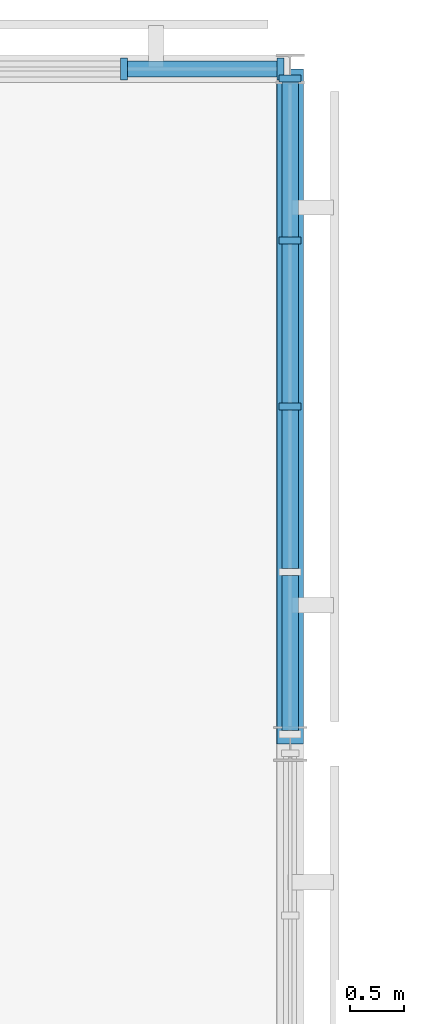
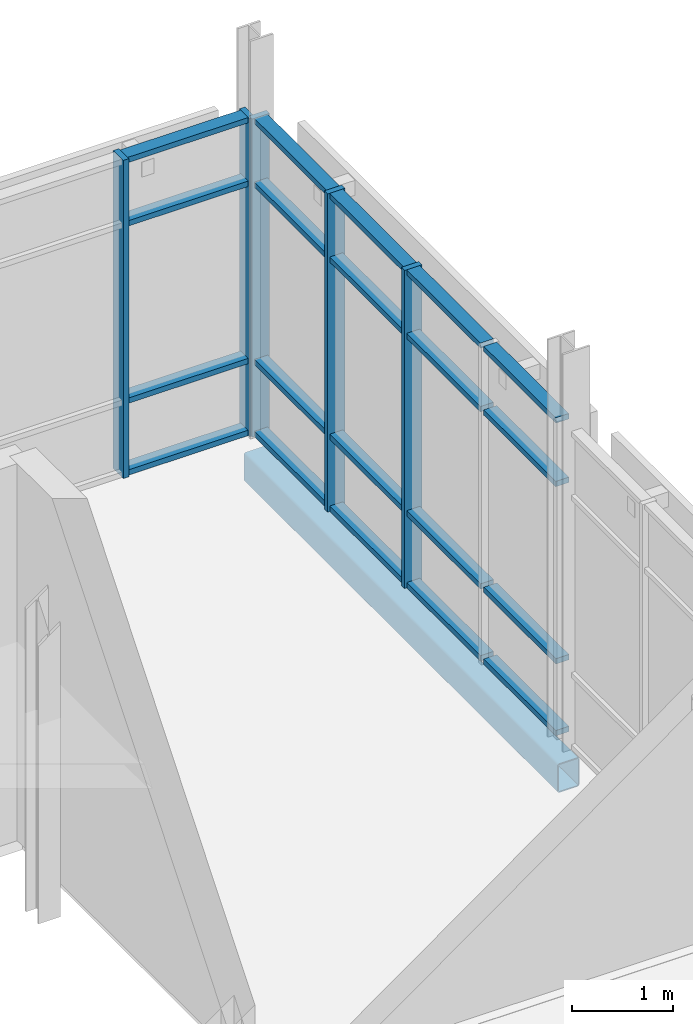
# One storey, part 48 of 84: 25 members, 1 beam, 2 elements without a shape of their own.
"""IFC4 building model written with IfcOpenShell, lengths in metres."""

from ifc_helpers import new_model, si_unit, direction, frame, origin, origin_2d, place, context, subcontext, project, spatial, rectangle, hollow_rectangle, extrude, material, layer, layer_set, material_profile, profile_set, type_object, element, aggregate, save


model = new_model("IFC4")

# Units and contexts
model_context = context("Model", 3, precision=1e-05, world=origin(), true_north=direction((0.0, 1.0)))
body_context = subcontext(model_context, "Body", "Model", "MODEL_VIEW")
ifc_project = project(units=[si_unit("LENGTHUNIT", "METRE"), si_unit("AREAUNIT", "SQUARE_METRE"), si_unit("VOLUMEUNIT", "CUBIC_METRE"), si_unit("PLANEANGLEUNIT", "RADIAN"), si_unit("MASSUNIT", "GRAM", prefix="KILO")], contexts=[model_context])

# Site, building, storey
site_placement = place(None, origin())
site = spatial("IfcSite", under=ifc_project, at=site_placement, CompositionType="ELEMENT")
building_placement = place(site_placement, origin())
building = spatial("IfcBuilding", under=site, at=building_placement, Name="Mirzam Square Science Centre", CompositionType="ELEMENT")
storey_placement = place(building_placement, frame((0.0, 0.0, 10.800048828125)))
storey = spatial("IfcBuildingStorey", under=building, at=storey_placement, Name="L02", CompositionType="ELEMENT", Elevation=10.800048828125)

# Curtain wall, members
ifc_material_1 = material(Name="Anodised Aluminium and Low-E Solar Glass", Category="aluminium")
ifc_layer_1 = layer(ifc_material_1, 0.219970703125)
ifc_layer_set_1 = layer_set([ifc_layer_1], Name="CW-OBS-A")
curtain_wall_type_1 = type_object("IfcCurtainWallType", Name="CW-OBS-A", PredefinedType="USERDEFINED", material=ifc_layer_set_1)
curtain_wall_1_placement = place(storey_placement, origin())
curtain_wall_1 = element("IfcCurtainWall", 1, at=curtain_wall_1_placement, inside=storey, type_object=curtain_wall_type_1, Name="L02 unitised curtain wall 114", ObjectType="UNITISED CURTAIN WALL", PredefinedType="USERDEFINED")
ifc_material_2 = material(Name="Anodised Architectural Aluminium 6063-T6", Category="aluminium")
ifc_material_profile_1 = material_profile(ifc_material_2, rectangle(XDim=0.06494140625, YDim=0.199951171875, at=origin_2d()), Name="ALU-MULL-200x65x5")
ifc_profile_set_1 = profile_set([ifc_material_profile_1], Name="Anodised Architectural Aluminium 6063-T6")
member_type_1 = type_object("IfcMemberType", Name="CWM-200", PredefinedType="MULLION", material=ifc_profile_set_1)
member_1_placement = place(storey_placement, frame((137.91259765625, 111.60009765625, 0.0), z_axis=(0.0, 0.0, 1.0), x_axis=(-1.0, 0.0, 0.0)))
member_1 = element("IfcMember", 2, at=member_1_placement, type_object=member_type_1, Name="CW-07 mullion 1", PredefinedType="MULLION", context=body_context, shape_type="SweptSolid", body=[
    extrude(rectangle(XDim=0.06494140625, YDim=0.199951171875, at=origin_2d()), origin(), (0.0, 0.0, 1.0), 3.83984375),
])
member_2_placement = place(storey_placement, frame((136.472412109375, 111.60009765625, 0.0), z_axis=(0.0, 0.0, 1.0), x_axis=(-1.0, 0.0, 0.0)))
member_2 = element("IfcMember", 3, at=member_2_placement, type_object=member_type_1, Name="CW-07 mullion 2", PredefinedType="MULLION", context=body_context, shape_type="SweptSolid", body=[
    extrude(rectangle(XDim=0.06494140625, YDim=0.199951171875, at=origin_2d()), origin(), (0.0, 0.0, 1.0), 3.83984375),
])

ifc_layer_2 = layer(ifc_material_1, 0.179931640625)
ifc_layer_set_2 = layer_set([ifc_layer_2], Name="CW-LINK-A")
curtain_wall_type_2 = type_object("IfcCurtainWallType", Name="CW-LINK-A", PredefinedType="USERDEFINED", material=ifc_layer_set_2)
curtain_wall_2_placement = place(storey_placement, origin())
curtain_wall_2 = element("IfcCurtainWall", 4, at=curtain_wall_2_placement, inside=storey, type_object=curtain_wall_type_2, Name="L02 unitised curtain wall 122", ObjectType="UNITISED CURTAIN WALL", PredefinedType="USERDEFINED")
member_3_placement = place(storey_placement, frame((138.0, 108.5, 0.0), z_axis=(0.0, 0.0, 1.0), x_axis=(0.0, 1.0, 0.0)))
member_3 = element("IfcMember", 5, at=member_3_placement, type_object=member_type_1, Name="CW-08 mullion 3", PredefinedType="MULLION", context=body_context, shape_type="SweptSolid", body=[
    extrude(rectangle(XDim=0.06494140625, YDim=0.199951171875, at=origin_2d()), origin(), (0.0, 0.0, 1.0), 3.83984375),
])
member_4_placement = place(storey_placement, frame((138.0, 110.0224609375, 0.0), z_axis=(0.0, 0.0, 1.0), x_axis=(0.0, 1.0, 0.0)))
member_4 = element("IfcMember", 6, at=member_4_placement, type_object=member_type_1, Name="CW-08 mullion 4", PredefinedType="MULLION", context=body_context, shape_type="SweptSolid", body=[
    extrude(rectangle(XDim=0.06494140625, YDim=0.199951171875, at=origin_2d()), origin(), (0.0, 0.0, 1.0), 3.83984375),
])
member_5_placement = place(storey_placement, frame((138.0, 111.512451171875, 0.0), z_axis=(0.0, 0.0, 1.0), x_axis=(0.0, 1.0, 0.0)))
member_5 = element("IfcMember", 7, at=member_5_placement, type_object=member_type_1, Name="CW-08 mullion 5", PredefinedType="MULLION", context=body_context, shape_type="SweptSolid", body=[
    extrude(rectangle(XDim=0.06494140625, YDim=0.199951171875, at=origin_2d()), origin(), (0.0, 0.0, 1.0), 3.83984375),
])

# Member
ifc_material_profile_2 = material_profile(ifc_material_2, rectangle(XDim=0.14990234375, YDim=0.06494140625, at=origin_2d()), Name="ALU-TRAN-150x65x4")
ifc_profile_set_2 = profile_set([ifc_material_profile_2], Name="Anodised Architectural Aluminium 6063-T6")
member_type_2 = type_object("IfcMemberType", Name="CWT-150", PredefinedType="USERDEFINED", material=ifc_profile_set_2)
member_6_placement = place(storey_placement, frame((137.8798828125, 111.60009765625, 0.032470703125), z_axis=(-1.0, 0.0, 0.0), x_axis=(0.0, -1.0, 0.0)))
member_6 = element("IfcMember", 8, at=member_6_placement, type_object=member_type_2, Name="CW-07 transom 1.1", ObjectType="TRANSOM", PredefinedType="USERDEFINED", context=body_context, shape_type="SweptSolid", body=[
    extrude(rectangle(XDim=0.14990234375, YDim=0.06494140625, at=origin_2d()), origin(), (0.0, 0.0, 1.0), 1.375),
])

member_7_placement = place(storey_placement, frame((137.8798828125, 111.60009765625, 0.89990234375), z_axis=(-1.0, 0.0, 0.0), x_axis=(0.0, -1.0, 0.0)))
member_7 = element("IfcMember", 9, at=member_7_placement, type_object=member_type_2, Name="CW-07 transom 1.2", ObjectType="TRANSOM", PredefinedType="USERDEFINED", context=body_context, shape_type="SweptSolid", body=[
    extrude(rectangle(XDim=0.14990234375, YDim=0.06494140625, at=origin_2d()), origin(), (0.0, 0.0, 1.0), 1.375),
])

member_8_placement = place(storey_placement, frame((137.8798828125, 111.60009765625, 3.0400390625), z_axis=(-1.0, 0.0, 0.0), x_axis=(0.0, -1.0, 0.0)))
member_8 = element("IfcMember", 10, at=member_8_placement, type_object=member_type_2, Name="CW-07 transom 1.3", ObjectType="TRANSOM", PredefinedType="USERDEFINED", context=body_context, shape_type="SweptSolid", body=[
    extrude(rectangle(XDim=0.14990234375, YDim=0.06494140625, at=origin_2d()), origin(), (0.0, 0.0, 1.0), 1.375),
])

member_9_placement = place(storey_placement, frame((137.8798828125, 111.60009765625, 3.807373046875), z_axis=(-1.0, 0.0, 0.0), x_axis=(0.0, -1.0, 0.0)))
member_9 = element("IfcMember", 11, at=member_9_placement, type_object=member_type_2, Name="CW-07 transom 1.4", ObjectType="TRANSOM", PredefinedType="USERDEFINED", context=body_context, shape_type="SweptSolid", body=[
    extrude(rectangle(XDim=0.14990234375, YDim=0.06494140625, at=origin_2d()), origin(), (0.0, 0.0, 1.0), 1.375),
])

aggregate(curtain_wall_1, [member_1, member_2, member_6, member_7, member_8, member_9])

member_10_placement = place(storey_placement, frame((138.0, 105.52001953125, 0.032470703125), z_axis=(0.0, 1.0, 0.0), x_axis=(-1.0, 0.0, 0.0)))
member_10 = element("IfcMember", 12, at=member_10_placement, type_object=member_type_2, Name="CW-08 transom 1.1", ObjectType="TRANSOM", PredefinedType="USERDEFINED", context=body_context, shape_type="SweptSolid", body=[
    extrude(rectangle(XDim=0.14990234375, YDim=0.06494140625, at=origin_2d()), origin(), (0.0, 0.0, 1.0), 1.425048828125),
])

member_11_placement = place(storey_placement, frame((138.0, 105.52001953125, 0.89990234375), z_axis=(0.0, 1.0, 0.0), x_axis=(-1.0, 0.0, 0.0)))
member_11 = element("IfcMember", 13, at=member_11_placement, type_object=member_type_2, Name="CW-08 transom 1.2", ObjectType="TRANSOM", PredefinedType="USERDEFINED", context=body_context, shape_type="SweptSolid", body=[
    extrude(rectangle(XDim=0.14990234375, YDim=0.06494140625, at=origin_2d()), origin(), (0.0, 0.0, 1.0), 1.425048828125),
])

member_12_placement = place(storey_placement, frame((138.0, 105.52001953125, 3.0400390625), z_axis=(0.0, 1.0, 0.0), x_axis=(-1.0, 0.0, 0.0)))
member_12 = element("IfcMember", 14, at=member_12_placement, type_object=member_type_2, Name="CW-08 transom 1.3", ObjectType="TRANSOM", PredefinedType="USERDEFINED", context=body_context, shape_type="SweptSolid", body=[
    extrude(rectangle(XDim=0.14990234375, YDim=0.06494140625, at=origin_2d()), origin(), (0.0, 0.0, 1.0), 1.425048828125),
])

member_13_placement = place(storey_placement, frame((138.0, 105.52001953125, 3.807373046875), z_axis=(0.0, 1.0, 0.0), x_axis=(-1.0, 0.0, 0.0)))
member_13 = element("IfcMember", 15, at=member_13_placement, type_object=member_type_2, Name="CW-08 transom 1.4", ObjectType="TRANSOM", PredefinedType="USERDEFINED", context=body_context, shape_type="SweptSolid", body=[
    extrude(rectangle(XDim=0.14990234375, YDim=0.06494140625, at=origin_2d()), origin(), (0.0, 0.0, 1.0), 1.425048828125),
])

member_14_placement = place(storey_placement, frame((138.0, 107.010009765625, 0.032470703125), z_axis=(0.0, 1.0, 0.0), x_axis=(-1.0, 0.0, 0.0)))
member_14 = element("IfcMember", 16, at=member_14_placement, type_object=member_type_2, Name="CW-08 transom 2.1", ObjectType="TRANSOM", PredefinedType="USERDEFINED", context=body_context, shape_type="SweptSolid", body=[
    extrude(rectangle(XDim=0.14990234375, YDim=0.06494140625, at=origin_2d()), origin(), (0.0, 0.0, 1.0), 1.45751953125),
])

member_15_placement = place(storey_placement, frame((138.0, 107.010009765625, 0.89990234375), z_axis=(0.0, 1.0, 0.0), x_axis=(-1.0, 0.0, 0.0)))
member_15 = element("IfcMember", 17, at=member_15_placement, type_object=member_type_2, Name="CW-08 transom 2.2", ObjectType="TRANSOM", PredefinedType="USERDEFINED", context=body_context, shape_type="SweptSolid", body=[
    extrude(rectangle(XDim=0.14990234375, YDim=0.06494140625, at=origin_2d()), origin(), (0.0, 0.0, 1.0), 1.45751953125),
])

member_16_placement = place(storey_placement, frame((138.0, 107.010009765625, 3.0400390625), z_axis=(0.0, 1.0, 0.0), x_axis=(-1.0, 0.0, 0.0)))
member_16 = element("IfcMember", 18, at=member_16_placement, type_object=member_type_2, Name="CW-08 transom 2.3", ObjectType="TRANSOM", PredefinedType="USERDEFINED", context=body_context, shape_type="SweptSolid", body=[
    extrude(rectangle(XDim=0.14990234375, YDim=0.06494140625, at=origin_2d()), origin(), (0.0, 0.0, 1.0), 1.45751953125),
])

member_17_placement = place(storey_placement, frame((138.0, 107.010009765625, 3.807373046875), z_axis=(0.0, 1.0, 0.0), x_axis=(-1.0, 0.0, 0.0)))
member_17 = element("IfcMember", 19, at=member_17_placement, type_object=member_type_2, Name="CW-08 transom 2.4", ObjectType="TRANSOM", PredefinedType="USERDEFINED", context=body_context, shape_type="SweptSolid", body=[
    extrude(rectangle(XDim=0.14990234375, YDim=0.06494140625, at=origin_2d()), origin(), (0.0, 0.0, 1.0), 1.45751953125),
])

member_18_placement = place(storey_placement, frame((138.0, 108.532470703125, 0.032470703125), z_axis=(0.0, 1.0, 0.0), x_axis=(-1.0, 0.0, 0.0)))
member_18 = element("IfcMember", 20, at=member_18_placement, type_object=member_type_2, Name="CW-08 transom 3.1", ObjectType="TRANSOM", PredefinedType="USERDEFINED", context=body_context, shape_type="SweptSolid", body=[
    extrude(rectangle(XDim=0.14990234375, YDim=0.06494140625, at=origin_2d()), origin(), (0.0, 0.0, 1.0), 1.45751953125),
])

member_19_placement = place(storey_placement, frame((138.0, 108.532470703125, 0.89990234375), z_axis=(0.0, 1.0, 0.0), x_axis=(-1.0, 0.0, 0.0)))
member_19 = element("IfcMember", 21, at=member_19_placement, type_object=member_type_2, Name="CW-08 transom 3.2", ObjectType="TRANSOM", PredefinedType="USERDEFINED", context=body_context, shape_type="SweptSolid", body=[
    extrude(rectangle(XDim=0.14990234375, YDim=0.06494140625, at=origin_2d()), origin(), (0.0, 0.0, 1.0), 1.45751953125),
])

member_20_placement = place(storey_placement, frame((138.0, 108.532470703125, 3.0400390625), z_axis=(0.0, 1.0, 0.0), x_axis=(-1.0, 0.0, 0.0)))
member_20 = element("IfcMember", 22, at=member_20_placement, type_object=member_type_2, Name="CW-08 transom 3.3", ObjectType="TRANSOM", PredefinedType="USERDEFINED", context=body_context, shape_type="SweptSolid", body=[
    extrude(rectangle(XDim=0.14990234375, YDim=0.06494140625, at=origin_2d()), origin(), (0.0, 0.0, 1.0), 1.45751953125),
])

member_21_placement = place(storey_placement, frame((138.0, 108.532470703125, 3.807373046875), z_axis=(0.0, 1.0, 0.0), x_axis=(-1.0, 0.0, 0.0)))
member_21 = element("IfcMember", 23, at=member_21_placement, type_object=member_type_2, Name="CW-08 transom 3.4", ObjectType="TRANSOM", PredefinedType="USERDEFINED", context=body_context, shape_type="SweptSolid", body=[
    extrude(rectangle(XDim=0.14990234375, YDim=0.06494140625, at=origin_2d()), origin(), (0.0, 0.0, 1.0), 1.45751953125),
])

member_22_placement = place(storey_placement, frame((138.0, 110.054931640625, 0.032470703125), z_axis=(0.0, 1.0, 0.0), x_axis=(-1.0, 0.0, 0.0)))
member_22 = element("IfcMember", 24, at=member_22_placement, type_object=member_type_2, Name="CW-08 transom 4.1", ObjectType="TRANSOM", PredefinedType="USERDEFINED", context=body_context, shape_type="SweptSolid", body=[
    extrude(rectangle(XDim=0.14990234375, YDim=0.06494140625, at=origin_2d()), origin(), (0.0, 0.0, 1.0), 1.425048828125),
])

member_23_placement = place(storey_placement, frame((138.0, 110.054931640625, 0.89990234375), z_axis=(0.0, 1.0, 0.0), x_axis=(-1.0, 0.0, 0.0)))
member_23 = element("IfcMember", 25, at=member_23_placement, type_object=member_type_2, Name="CW-08 transom 4.2", ObjectType="TRANSOM", PredefinedType="USERDEFINED", context=body_context, shape_type="SweptSolid", body=[
    extrude(rectangle(XDim=0.14990234375, YDim=0.06494140625, at=origin_2d()), origin(), (0.0, 0.0, 1.0), 1.425048828125),
])

member_24_placement = place(storey_placement, frame((138.0, 110.054931640625, 3.0400390625), z_axis=(0.0, 1.0, 0.0), x_axis=(-1.0, 0.0, 0.0)))
member_24 = element("IfcMember", 26, at=member_24_placement, type_object=member_type_2, Name="CW-08 transom 4.3", ObjectType="TRANSOM", PredefinedType="USERDEFINED", context=body_context, shape_type="SweptSolid", body=[
    extrude(rectangle(XDim=0.14990234375, YDim=0.06494140625, at=origin_2d()), origin(), (0.0, 0.0, 1.0), 1.425048828125),
])

member_25_placement = place(storey_placement, frame((138.0, 110.054931640625, 3.807373046875), z_axis=(0.0, 1.0, 0.0), x_axis=(-1.0, 0.0, 0.0)))
member_25 = element("IfcMember", 27, at=member_25_placement, type_object=member_type_2, Name="CW-08 transom 4.4", ObjectType="TRANSOM", PredefinedType="USERDEFINED", context=body_context, shape_type="SweptSolid", body=[
    extrude(rectangle(XDim=0.14990234375, YDim=0.06494140625, at=origin_2d()), origin(), (0.0, 0.0, 1.0), 1.425048828125),
])

aggregate(curtain_wall_2, [member_3, member_4, member_5, member_10, member_11, member_12, member_13, member_14, member_15, member_16, member_17, member_18, member_19, member_20, member_21, member_22, member_23, member_24, member_25])

# Beam
ifc_material_3 = material(Name="Steel S355", Category="steel")
ifc_material_profile_3 = material_profile(ifc_material_3, hollow_rectangle(XDim=0.25, YDim=0.35009765625, WallThickness=0.012451171875, InnerFilletRadius=0.012451171875, OuterFilletRadius=0.02490234375, at=origin_2d()), Name="350x250x12.5RHS")
ifc_profile_set_3 = profile_set([ifc_material_profile_3], Name="Steel S355")
beam_type = type_object("IfcBeamType", Name="SP-RHS350", PredefinedType="SPANDREL", material=ifc_profile_set_3)
beam_placement = place(storey_placement, frame((138.0, 105.39990234375, -0.425048828125), z_axis=(0.0, 1.0, 0.0), x_axis=(-1.0, 0.0, 0.0)))
element("IfcBeam", 28, at=beam_placement, inside=storey, type_object=beam_type, Name="L02 girder Y24-18", PredefinedType="SPANDREL", context=body_context, shape_type="SweptSolid", body=[
    extrude(hollow_rectangle(XDim=0.25, YDim=0.35009765625, WallThickness=0.012451171875, InnerFilletRadius=0.012451171875, OuterFilletRadius=0.02490234375, at=origin_2d()), origin(), (0.0, 0.0, 1.0), 6.2001953125),
])

save(model, "model.ifc")
